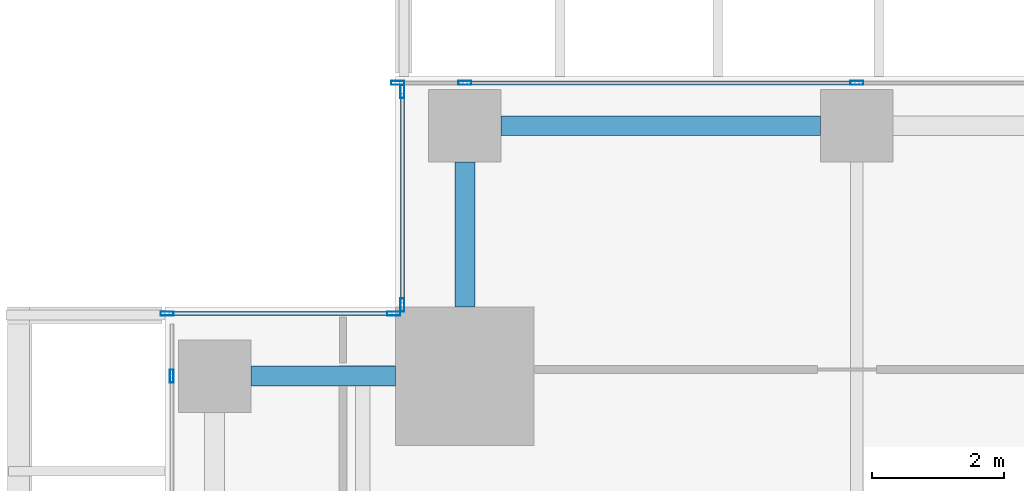
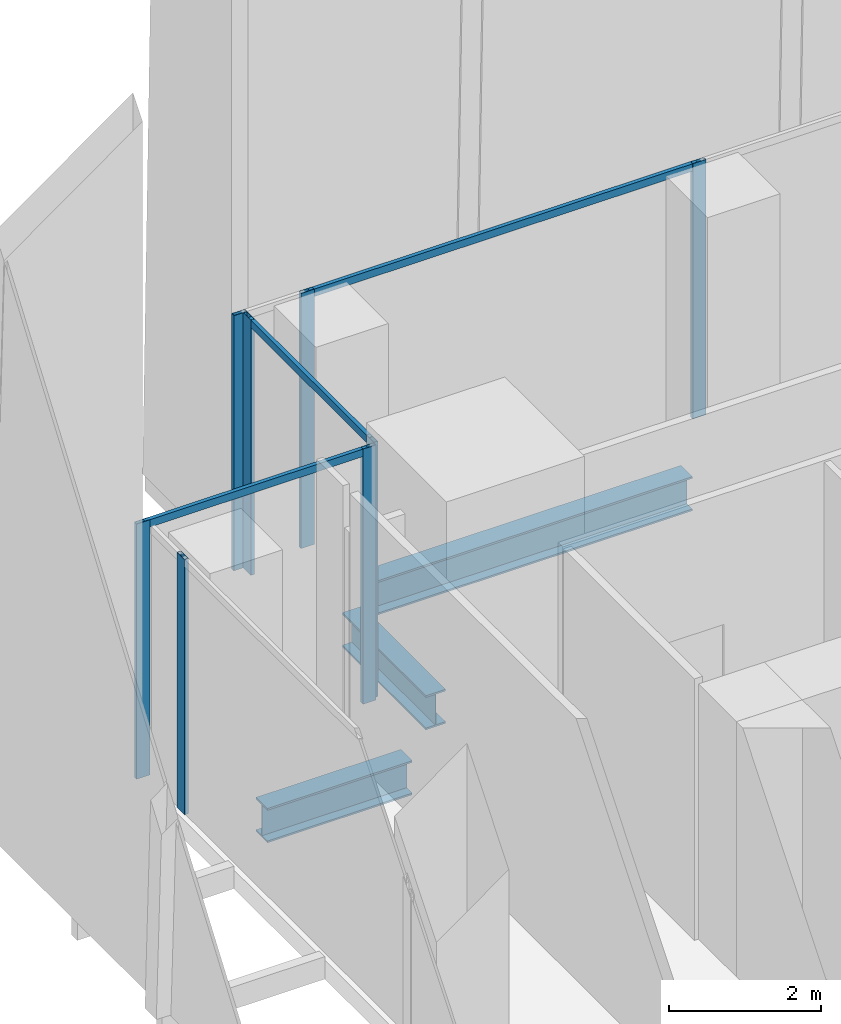
# One storey, part 14 of 34: 11 members, 3 beams, 4 elements without a shape of their own.
"""IFC4 building model written with IfcOpenShell, lengths in metres."""

from ifc_helpers import new_model, si_unit, direction, frame, origin, origin_2d, place, context, subcontext, project, spatial, hollow_rectangle, i_section, extrude, source, transform, mapped, material, material_profile, profile_set, type_object, element, aggregate, save


model = new_model("IFC4")

# Units and contexts
model_context = context("Model", 3, precision=1e-05, world=origin(), true_north=direction((0.0, 1.0)))
body_context = subcontext(model_context, "Body", "Model", "MODEL_VIEW")
ifc_project = project(units=[si_unit("LENGTHUNIT", "METRE"), si_unit("AREAUNIT", "SQUARE_METRE"), si_unit("VOLUMEUNIT", "CUBIC_METRE"), si_unit("PLANEANGLEUNIT", "RADIAN"), si_unit("MASSUNIT", "GRAM", prefix="KILO")], contexts=[model_context])

# Site, building, storey
site_placement = place(None, origin())
site = spatial("IfcSite", under=ifc_project, at=site_placement, CompositionType="ELEMENT")
building_placement = place(site_placement, origin())
building = spatial("IfcBuilding", under=site, at=building_placement, Name="Khomas Fold Tower", CompositionType="ELEMENT")
storey_placement = place(building_placement, frame((0.0, 0.0, 114.699951171875)))
storey = spatial("IfcBuildingStorey", under=building, at=storey_placement, Name="L24", CompositionType="ELEMENT", Elevation=114.699951171875)

# Beams
ifc_material_1 = material(Name="Steel S355", Category="steel")
ifc_material_profile_1 = material_profile(ifc_material_1, i_section(OverallWidth=0.300048828125, OverallDepth=0.550048828125, WebThickness=0.014892578125, FlangeThickness=0.029052734375, at=origin_2d()), Name="HE 550 B")
ifc_profile_set_1 = profile_set([ifc_material_profile_1], Name="Steel S355")
beam_type = type_object("IfcBeamType", Name="HE 550 B spandrel SB2", PredefinedType="SPANDREL", material=ifc_profile_set_1)
shared_shape_1 = source(origin(), body_context, "Body", "SweptSolid", [
    extrude(i_section(OverallWidth=0.300048828125, OverallDepth=0.550048828125, WebThickness=0.014892578125, FlangeThickness=0.029052734375, at=origin_2d()), origin(), (0.0, 0.0, 1.0), 4.849853515625),
])
beam_placement = place(storey_placement, frame((6.60009765625, 51.75, -0.574951171875), z_axis=(1.0, 0.0, 0.0), x_axis=(0.0, 1.0, 0.0)))
element("IfcBeam", 1, at=beam_placement, inside=storey, type_object=beam_type, Name="SB2", PredefinedType="SPANDREL", context=body_context, shape_type="MappedRepresentation", body=[
    mapped(shared_shape_1, transform((0.0, 0.0, 0.0))),
])
shared_shape_2 = source(origin(), body_context, "Body", "SweptSolid", [
    extrude(i_section(OverallWidth=0.300048828125, OverallDepth=0.550048828125, WebThickness=0.014892578125, FlangeThickness=0.029052734375, at=origin_2d()), origin(), (0.0, 0.0, 1.0), 2.199951171875),
])
for number, where, z_axis, x_axis, name in (
    (2, (6.050048828125, 49.0, -0.574951171875), (0.0, 1.0, 0.0), (-1.0, 0.0, 0.0), "SB2"),
    (3, (2.800048828125, 47.949951171875, -0.574951171875), (1.0, 0.0, 0.0), (0.0, 1.0, 0.0), "SB2"),
):
    element("IfcBeam", number, at=place(storey_placement, frame(where, z_axis=z_axis, x_axis=x_axis)), inside=storey, type_object=beam_type, Name=name, PredefinedType="SPANDREL", context=body_context, shape_type="MappedRepresentation", body=[
        mapped(shared_shape_2, transform((0.0, 0.0, 0.0))),
    ])

# Curtain wall, members
ifc_material_2 = material(Name="Aluminium framed double glazing", Category="aluminium")
curtain_wall_type = type_object("IfcCurtainWallType", Name="SK-Unitised clear-glass wall, growing floors CW1", PredefinedType="NOTDEFINED", material=ifc_material_2)
curtain_wall_1_placement = place(storey_placement, origin())
curtain_wall_1 = element("IfcCurtainWall", 4, at=curtain_wall_1_placement, inside=storey, type_object=curtain_wall_type, Name="CW1 run L24 06-1", PredefinedType="NOTDEFINED")
ifc_material_3 = material(Name="Aluminium", Category="aluminium")
ifc_material_profile_2 = material_profile(ifc_material_3, hollow_rectangle(XDim=0.06005859375, YDim=0.199951171875, WallThickness=0.00390625, at=origin_2d()), Name="SK-Unitised clear-glass wall, growing floors mullion CW1-M")
ifc_profile_set_2 = profile_set([ifc_material_profile_2], Name="Aluminium")
member_type_1 = type_object("IfcMemberType", Name="SK-Unitised clear-glass wall, growing floors mullion CW1-M", PredefinedType="MULLION", material=ifc_profile_set_2)
shared_shape_3 = source(origin(), body_context, "Body", "SweptSolid", [
    extrude(hollow_rectangle(XDim=0.06005859375, YDim=0.199951171875, WallThickness=0.00390625, at=origin_2d()), origin(), (0.0, 0.0, 1.0), 4.10009765625),
])
member_1_placement = place(storey_placement, frame((12.0, 52.39990234375, 0.0), z_axis=(0.0, 0.0, 1.0), x_axis=(0.0, -1.0, 0.0)))
member_1 = element("IfcMember", 5, at=member_1_placement, type_object=member_type_1, Name="CW1 mullion 4", PredefinedType="MULLION", context=body_context, shape_type="MappedRepresentation", body=[
    mapped(shared_shape_3, transform((0.0, 0.0, 0.0))),
])
member_2_placement = place(storey_placement, frame((6.050048828125, 52.39990234375, 0.0), z_axis=(0.0, 0.0, 1.0), x_axis=(0.0, -1.0, 0.0)))
member_2 = element("IfcMember", 6, at=member_2_placement, type_object=member_type_1, Name="CW1 mullion 5", PredefinedType="MULLION", context=body_context, shape_type="MappedRepresentation", body=[
    mapped(shared_shape_3, transform((0.0, 0.0, 0.0))),
])
member_3_placement = place(storey_placement, frame((5.030029296875, 52.39990234375, 0.0), z_axis=(0.0, 0.0, 1.0), x_axis=(0.0, -1.0, 0.0)))
member_3 = element("IfcMember", 7, at=member_3_placement, type_object=member_type_1, Name="CW1 mullion 6", PredefinedType="MULLION", context=body_context, shape_type="MappedRepresentation", body=[
    mapped(shared_shape_3, transform((0.0, 0.0, 0.0))),
])

curtain_wall_2_placement = place(storey_placement, origin())
curtain_wall_2 = element("IfcCurtainWall", 8, at=curtain_wall_2_placement, inside=storey, type_object=curtain_wall_type, Name="CW1 corner return L24 07", PredefinedType="NOTDEFINED")
member_4_placement = place(storey_placement, frame((5.10009765625, 52.27001953125, 0.0), z_axis=(0.0, 0.0, 1.0), x_axis=(1.0, 0.0, 0.0)))
member_4 = element("IfcMember", 9, at=member_4_placement, type_object=member_type_1, Name="CW1 mullion 1", PredefinedType="MULLION", context=body_context, shape_type="MappedRepresentation", body=[
    mapped(shared_shape_3, transform((0.0, 0.0, 0.0))),
])
member_5_placement = place(storey_placement, frame((5.10009765625, 49.030029296875, 0.0), z_axis=(0.0, 0.0, 1.0), x_axis=(1.0, 0.0, 0.0)))
member_5 = element("IfcMember", 10, at=member_5_placement, type_object=member_type_1, Name="CW1 mullion 2", PredefinedType="MULLION", context=body_context, shape_type="MappedRepresentation", body=[
    mapped(shared_shape_3, transform((0.0, 0.0, 0.0))),
])

curtain_wall_3_placement = place(storey_placement, origin())
curtain_wall_3 = element("IfcCurtainWall", 11, at=curtain_wall_3_placement, inside=storey, type_object=curtain_wall_type, Name="CW1 corner return L24 08", PredefinedType="NOTDEFINED")
member_6_placement = place(storey_placement, frame((4.969970703125, 48.89990234375, 0.0), z_axis=(0.0, 0.0, 1.0), x_axis=(0.0, -1.0, 0.0)))
member_6 = element("IfcMember", 12, at=member_6_placement, type_object=member_type_1, Name="CW1 mullion 1", PredefinedType="MULLION", context=body_context, shape_type="MappedRepresentation", body=[
    mapped(shared_shape_3, transform((0.0, 0.0, 0.0))),
])
member_7_placement = place(storey_placement, frame((1.530029296875, 48.89990234375, 0.0), z_axis=(0.0, 0.0, 1.0), x_axis=(0.0, -1.0, 0.0)))
member_7 = element("IfcMember", 13, at=member_7_placement, type_object=member_type_1, Name="CW1 mullion 2", PredefinedType="MULLION", context=body_context, shape_type="MappedRepresentation", body=[
    mapped(shared_shape_3, transform((0.0, 0.0, 0.0))),
])

# Curtain wall, member
curtain_wall_4_placement = place(storey_placement, origin())
curtain_wall_4 = element("IfcCurtainWall", 14, at=curtain_wall_4_placement, inside=storey, type_object=curtain_wall_type, Name="CW1 run L24 09-0", PredefinedType="NOTDEFINED")
member_8_placement = place(storey_placement, frame((1.60009765625, 47.949951171875, 0.0), z_axis=(0.0, 0.0, 1.0), x_axis=(1.0, 0.0, 0.0)))
member_8 = element("IfcMember", 15, at=member_8_placement, type_object=member_type_1, Name="CW1 mullion 2", PredefinedType="MULLION", context=body_context, shape_type="MappedRepresentation", body=[
    mapped(shared_shape_3, transform((0.0, 0.0, 0.0))),
])
aggregate(curtain_wall_4, [member_8])

# Member
ifc_material_4 = material(Name="Aluminium", Category="aluminium")
ifc_material_profile_3 = material_profile(ifc_material_4, hollow_rectangle(XDim=0.06005859375, YDim=0.1201171875, WallThickness=0.00390625, at=origin_2d()), Name="SK-Unitised clear-glass wall, growing floors transom CW1-T")
ifc_profile_set_3 = profile_set([ifc_material_profile_3], Name="Aluminium")
member_type_2 = type_object("IfcMemberType", Name="SK-Unitised clear-glass wall, growing floors transom CW1-T", PredefinedType="USERDEFINED", material=ifc_profile_set_3)
shared_shape_4 = source(origin(), body_context, "Body", "SweptSolid", [
    extrude(hollow_rectangle(XDim=0.06005859375, YDim=0.1201171875, WallThickness=0.00390625, at=origin_2d()), origin(), (0.0, 0.0, 1.0), 5.889892578125),
])
member_9_placement = place(storey_placement, frame((11.969970703125, 52.39990234375, 4.0400390625), z_axis=(-1.0, 0.0, 0.0), x_axis=(0.0, -1.0, 0.0)))
member_9 = element("IfcMember", 16, at=member_9_placement, type_object=member_type_2, Name="CW1 transom 4", ObjectType="TRANSOM", PredefinedType="USERDEFINED", context=body_context, shape_type="MappedRepresentation", body=[
    mapped(shared_shape_4, transform((0.0, 0.0, 0.0))),
])

aggregate(curtain_wall_1, [member_1, member_2, member_3, member_9])

shared_shape_5 = source(origin(), body_context, "Body", "SweptSolid", [
    extrude(hollow_rectangle(XDim=0.06005859375, YDim=0.1201171875, WallThickness=0.00390625, at=origin_2d()), origin(), (0.0, 0.0, 1.0), 3.179931640625),
])
member_10_placement = place(storey_placement, frame((5.10009765625, 52.239990234375, 4.0400390625), z_axis=(0.0, -1.0, 0.0), x_axis=(1.0, 0.0, 0.0)))
member_10 = element("IfcMember", 17, at=member_10_placement, type_object=member_type_2, Name="CW1 transom 1", ObjectType="TRANSOM", PredefinedType="USERDEFINED", context=body_context, shape_type="MappedRepresentation", body=[
    mapped(shared_shape_5, transform((0.0, 0.0, 0.0))),
])

aggregate(curtain_wall_2, [member_4, member_5, member_10])

shared_shape_6 = source(origin(), body_context, "Body", "SweptSolid", [
    extrude(hollow_rectangle(XDim=0.06005859375, YDim=0.1201171875, WallThickness=0.00390625, at=origin_2d()), origin(), (0.0, 0.0, 1.0), 3.3798828125),
])
member_11_placement = place(storey_placement, frame((4.93994140625, 48.89990234375, 4.0400390625), z_axis=(-1.0, 0.0, 0.0), x_axis=(0.0, -1.0, 0.0)))
member_11 = element("IfcMember", 18, at=member_11_placement, type_object=member_type_2, Name="CW1 transom 1", ObjectType="TRANSOM", PredefinedType="USERDEFINED", context=body_context, shape_type="MappedRepresentation", body=[
    mapped(shared_shape_6, transform((0.0, 0.0, 0.0))),
])

aggregate(curtain_wall_3, [member_6, member_7, member_11])

save(model, "model.ifc")
